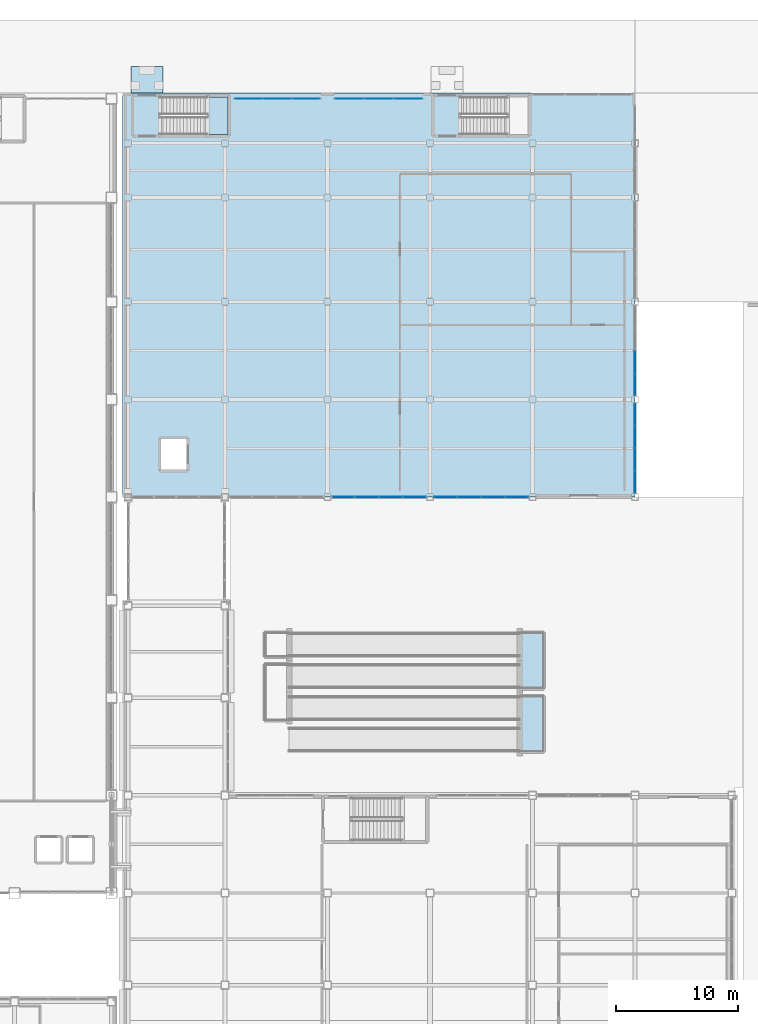
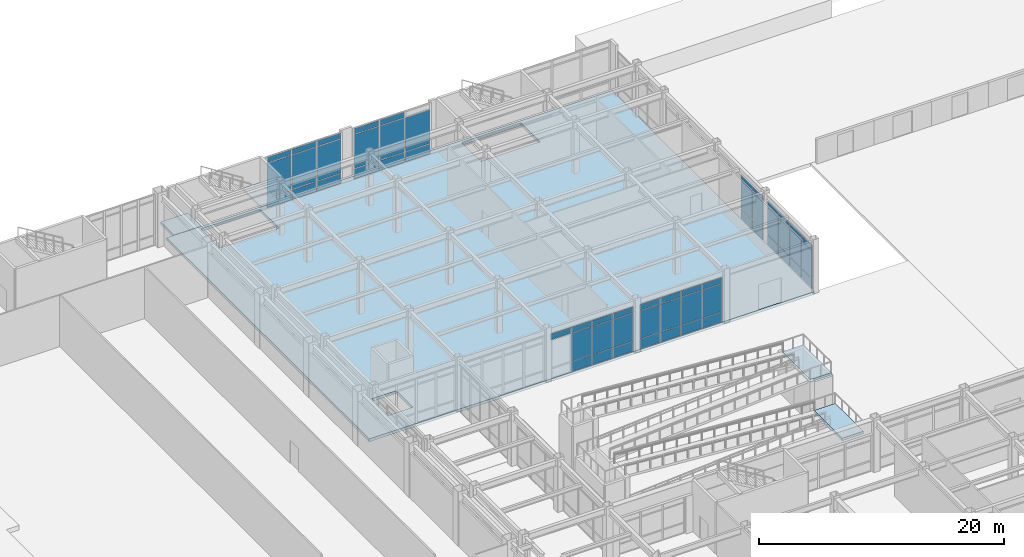
# One storey, part 118 of 165: 57 plates, 5 slabs, 8 elements without a shape of their own.
"""IFC4 building model written with IfcOpenShell, lengths in metres."""

from ifc_helpers import new_model, si_unit, direction, frame, origin, origin_2d, place, context, subcontext, project, spatial, polyline, rectangle, outline, extrude, material, layer, layer_set, type_object, element, aggregate, save


model = new_model("IFC4")

# Units and contexts
model_context = context("Model", 3, precision=1e-05, world=origin(), true_north=direction((0.0, 1.0)))
body_context = subcontext(model_context, "Body", "Model", "MODEL_VIEW")
ifc_project = project(units=[si_unit("LENGTHUNIT", "METRE"), si_unit("AREAUNIT", "SQUARE_METRE"), si_unit("VOLUMEUNIT", "CUBIC_METRE"), si_unit("PLANEANGLEUNIT", "RADIAN"), si_unit("MASSUNIT", "GRAM", prefix="KILO")], contexts=[model_context])

# Site, building, storey
site_placement = place(None, origin())
site = spatial("IfcSite", under=ifc_project, at=site_placement, CompositionType="ELEMENT")
building_placement = place(site_placement, origin())
building = spatial("IfcBuilding", under=site, at=building_placement, Name="Kazehara Bluff Congress Hotel", CompositionType="ELEMENT")
storey_placement = place(building_placement, origin())
storey = spatial("IfcBuildingStorey", under=building, at=storey_placement, Name="L00", CompositionType="ELEMENT", Elevation=0.0)

# Curtain wall, plates
ifc_material_1 = material(Name="Anodised aluminium", Category="aluminium")
ifc_layer_1 = layer(ifc_material_1, 0.159912109375)
ifc_layer_set_1 = layer_set([ifc_layer_1], Name="Anodised aluminium")
curtain_wall_type_1 = type_object("IfcCurtainWallType", Name="TP-CW-36", PredefinedType="NOTDEFINED", material=ifc_layer_set_1)
curtain_wall_1_placement = place(storey_placement, origin())
curtain_wall_1 = element("IfcCurtainWall", 1, at=curtain_wall_1_placement, inside=storey, type_object=curtain_wall_type_1, Name="L00 curtain wall CW-36 CW-V3-L00-Y8090-7632", PredefinedType="NOTDEFINED")
ifc_material_2 = material(Name="Insulated low-E double glazing", Category="glass")
ifc_layer_2 = layer(ifc_material_2, 0.031982421875)
ifc_layer_set_2 = layer_set([ifc_layer_2], Name="Insulated low-E double glazing")
plate_type = type_object("IfcPlateType", Name="TP-CWP-02", PredefinedType="CURTAIN_PANEL", material=ifc_layer_set_2)
plate_1_placement = place(storey_placement, frame((77.32373046875, 80.89990234375, 3.90771484375), z_axis=(0.0, 0.0, 1.0), x_axis=(1.0, 0.0, 0.0)))
plate_1 = element("IfcPlate", 2, at=plate_1_placement, type_object=plate_type, Name="CW-36 panel 1.3", PredefinedType="CURTAIN_PANEL", context=body_context, shape_type="SweptSolid", body=[
    extrude(rectangle(XDim=1.857421875, YDim=0.031982421875, at=origin_2d()), origin(), (0.0, 0.0, 1.0), 0.552490234375),
])
plate_2_placement = place(storey_placement, frame((79.268798828125, 80.89990234375, 0.06494140625), z_axis=(0.0, 0.0, 1.0), x_axis=(1.0, 0.0, 0.0)))
plate_2 = element("IfcPlate", 3, at=plate_2_placement, type_object=plate_type, Name="CW-36 panel 2.1", PredefinedType="CURTAIN_PANEL", context=body_context, shape_type="SweptSolid", body=[
    extrude(rectangle(XDim=1.892578125, YDim=0.031982421875, at=origin_2d()), origin(), (0.0, 0.0, 1.0), 0.952392578125),
])
plate_3_placement = place(storey_placement, frame((79.268798828125, 80.89990234375, 1.08251953125), z_axis=(0.0, 0.0, 1.0), x_axis=(1.0, 0.0, 0.0)))
plate_3 = element("IfcPlate", 4, at=plate_3_placement, type_object=plate_type, Name="CW-36 panel 2.2", PredefinedType="CURTAIN_PANEL", context=body_context, shape_type="SweptSolid", body=[
    extrude(rectangle(XDim=1.892578125, YDim=0.031982421875, at=origin_2d()), origin(), (0.0, 0.0, 1.0), 2.760009765625),
])
plate_4_placement = place(storey_placement, frame((79.268798828125, 80.89990234375, 3.90771484375), z_axis=(0.0, 0.0, 1.0), x_axis=(1.0, 0.0, 0.0)))
plate_4 = element("IfcPlate", 5, at=plate_4_placement, type_object=plate_type, Name="CW-36 panel 2.3", PredefinedType="CURTAIN_PANEL", context=body_context, shape_type="SweptSolid", body=[
    extrude(rectangle(XDim=1.892578125, YDim=0.031982421875, at=origin_2d()), origin(), (0.0, 0.0, 1.0), 0.552490234375),
])
plate_5_placement = place(storey_placement, frame((81.231201171875, 80.89990234375, 0.06494140625), z_axis=(0.0, 0.0, 1.0), x_axis=(1.0, 0.0, 0.0)))
plate_5 = element("IfcPlate", 6, at=plate_5_placement, type_object=plate_type, Name="CW-36 panel 3.1", PredefinedType="CURTAIN_PANEL", context=body_context, shape_type="SweptSolid", body=[
    extrude(rectangle(XDim=1.892578125, YDim=0.031982421875, at=origin_2d()), origin(), (0.0, 0.0, 1.0), 0.952392578125),
])
plate_6_placement = place(storey_placement, frame((81.231201171875, 80.89990234375, 1.08251953125), z_axis=(0.0, 0.0, 1.0), x_axis=(1.0, 0.0, 0.0)))
plate_6 = element("IfcPlate", 7, at=plate_6_placement, type_object=plate_type, Name="CW-36 panel 3.2", PredefinedType="CURTAIN_PANEL", context=body_context, shape_type="SweptSolid", body=[
    extrude(rectangle(XDim=1.892578125, YDim=0.031982421875, at=origin_2d()), origin(), (0.0, 0.0, 1.0), 2.760009765625),
])
plate_7_placement = place(storey_placement, frame((81.231201171875, 80.89990234375, 3.90771484375), z_axis=(0.0, 0.0, 1.0), x_axis=(1.0, 0.0, 0.0)))
plate_7 = element("IfcPlate", 8, at=plate_7_placement, type_object=plate_type, Name="CW-36 panel 3.3", PredefinedType="CURTAIN_PANEL", context=body_context, shape_type="SweptSolid", body=[
    extrude(rectangle(XDim=1.892578125, YDim=0.031982421875, at=origin_2d()), origin(), (0.0, 0.0, 1.0), 0.552490234375),
])
plate_8_placement = place(storey_placement, frame((83.17626953125, 80.89990234375, 0.06494140625), z_axis=(0.0, 0.0, 1.0), x_axis=(1.0, 0.0, 0.0)))
plate_8 = element("IfcPlate", 9, at=plate_8_placement, type_object=plate_type, Name="CW-36 panel 4.1", PredefinedType="CURTAIN_PANEL", context=body_context, shape_type="SweptSolid", body=[
    extrude(rectangle(XDim=1.857421875, YDim=0.031982421875, at=origin_2d()), origin(), (0.0, 0.0, 1.0), 0.952392578125),
])
plate_9_placement = place(storey_placement, frame((83.17626953125, 80.89990234375, 1.08251953125), z_axis=(0.0, 0.0, 1.0), x_axis=(1.0, 0.0, 0.0)))
plate_9 = element("IfcPlate", 10, at=plate_9_placement, type_object=plate_type, Name="CW-36 panel 4.2", PredefinedType="CURTAIN_PANEL", context=body_context, shape_type="SweptSolid", body=[
    extrude(rectangle(XDim=1.857421875, YDim=0.031982421875, at=origin_2d()), origin(), (0.0, 0.0, 1.0), 2.760009765625),
])
plate_10_placement = place(storey_placement, frame((83.17626953125, 80.89990234375, 3.90771484375), z_axis=(0.0, 0.0, 1.0), x_axis=(1.0, 0.0, 0.0)))
plate_10 = element("IfcPlate", 11, at=plate_10_placement, type_object=plate_type, Name="CW-36 panel 4.3", PredefinedType="CURTAIN_PANEL", context=body_context, shape_type="SweptSolid", body=[
    extrude(rectangle(XDim=1.857421875, YDim=0.031982421875, at=origin_2d()), origin(), (0.0, 0.0, 1.0), 0.552490234375),
])
aggregate(curtain_wall_1, [plate_1, plate_2, plate_3, plate_4, plate_5, plate_6, plate_7, plate_8, plate_9, plate_10])

curtain_wall_2_placement = place(storey_placement, origin())
curtain_wall_2 = element("IfcCurtainWall", 12, at=curtain_wall_2_placement, inside=storey, type_object=curtain_wall_type_1, Name="L00 curtain wall CW-36 CW-V3-L00-Y8090-8472", PredefinedType="NOTDEFINED")
plate_11_placement = place(storey_placement, frame((85.7236328125, 80.89990234375, 0.06494140625), z_axis=(0.0, 0.0, 1.0), x_axis=(1.0, 0.0, 0.0)))
plate_11 = element("IfcPlate", 13, at=plate_11_placement, type_object=plate_type, Name="CW-36 panel 1.1", PredefinedType="CURTAIN_PANEL", context=body_context, shape_type="SweptSolid", body=[
    extrude(rectangle(XDim=1.857421875, YDim=0.031982421875, at=origin_2d()), origin(), (0.0, 0.0, 1.0), 0.952392578125),
])
plate_12_placement = place(storey_placement, frame((85.7236328125, 80.89990234375, 1.08251953125), z_axis=(0.0, 0.0, 1.0), x_axis=(1.0, 0.0, 0.0)))
plate_12 = element("IfcPlate", 14, at=plate_12_placement, type_object=plate_type, Name="CW-36 panel 1.2", PredefinedType="CURTAIN_PANEL", context=body_context, shape_type="SweptSolid", body=[
    extrude(rectangle(XDim=1.857421875, YDim=0.031982421875, at=origin_2d()), origin(), (0.0, 0.0, 1.0), 2.760009765625),
])
plate_13_placement = place(storey_placement, frame((85.7236328125, 80.89990234375, 3.90771484375), z_axis=(0.0, 0.0, 1.0), x_axis=(1.0, 0.0, 0.0)))
plate_13 = element("IfcPlate", 15, at=plate_13_placement, type_object=plate_type, Name="CW-36 panel 1.3", PredefinedType="CURTAIN_PANEL", context=body_context, shape_type="SweptSolid", body=[
    extrude(rectangle(XDim=1.857421875, YDim=0.031982421875, at=origin_2d()), origin(), (0.0, 0.0, 1.0), 0.552490234375),
])
plate_14_placement = place(storey_placement, frame((87.668701171875, 80.89990234375, 0.06494140625), z_axis=(0.0, 0.0, 1.0), x_axis=(1.0, 0.0, 0.0)))
plate_14 = element("IfcPlate", 16, at=plate_14_placement, type_object=plate_type, Name="CW-36 panel 2.1", PredefinedType="CURTAIN_PANEL", context=body_context, shape_type="SweptSolid", body=[
    extrude(rectangle(XDim=1.892578125, YDim=0.031982421875, at=origin_2d()), origin(), (0.0, 0.0, 1.0), 0.952392578125),
])
plate_15_placement = place(storey_placement, frame((87.668701171875, 80.89990234375, 1.08251953125), z_axis=(0.0, 0.0, 1.0), x_axis=(1.0, 0.0, 0.0)))
plate_15 = element("IfcPlate", 17, at=plate_15_placement, type_object=plate_type, Name="CW-36 panel 2.2", PredefinedType="CURTAIN_PANEL", context=body_context, shape_type="SweptSolid", body=[
    extrude(rectangle(XDim=1.892578125, YDim=0.031982421875, at=origin_2d()), origin(), (0.0, 0.0, 1.0), 2.760009765625),
])
plate_16_placement = place(storey_placement, frame((87.668701171875, 80.89990234375, 3.90771484375), z_axis=(0.0, 0.0, 1.0), x_axis=(1.0, 0.0, 0.0)))
plate_16 = element("IfcPlate", 18, at=plate_16_placement, type_object=plate_type, Name="CW-36 panel 2.3", PredefinedType="CURTAIN_PANEL", context=body_context, shape_type="SweptSolid", body=[
    extrude(rectangle(XDim=1.892578125, YDim=0.031982421875, at=origin_2d()), origin(), (0.0, 0.0, 1.0), 0.552490234375),
])
plate_17_placement = place(storey_placement, frame((89.63134765625, 80.89990234375, 0.06494140625), z_axis=(0.0, 0.0, 1.0), x_axis=(1.0, 0.0, 0.0)))
plate_17 = element("IfcPlate", 19, at=plate_17_placement, type_object=plate_type, Name="CW-36 panel 3.1", PredefinedType="CURTAIN_PANEL", context=body_context, shape_type="SweptSolid", body=[
    extrude(rectangle(XDim=1.892578125, YDim=0.031982421875, at=origin_2d()), origin(), (0.0, 0.0, 1.0), 0.952392578125),
])
plate_18_placement = place(storey_placement, frame((89.63134765625, 80.89990234375, 1.08251953125), z_axis=(0.0, 0.0, 1.0), x_axis=(1.0, 0.0, 0.0)))
plate_18 = element("IfcPlate", 20, at=plate_18_placement, type_object=plate_type, Name="CW-36 panel 3.2", PredefinedType="CURTAIN_PANEL", context=body_context, shape_type="SweptSolid", body=[
    extrude(rectangle(XDim=1.892578125, YDim=0.031982421875, at=origin_2d()), origin(), (0.0, 0.0, 1.0), 2.760009765625),
])
plate_19_placement = place(storey_placement, frame((89.63134765625, 80.89990234375, 3.90771484375), z_axis=(0.0, 0.0, 1.0), x_axis=(1.0, 0.0, 0.0)))
plate_19 = element("IfcPlate", 21, at=plate_19_placement, type_object=plate_type, Name="CW-36 panel 3.3", PredefinedType="CURTAIN_PANEL", context=body_context, shape_type="SweptSolid", body=[
    extrude(rectangle(XDim=1.892578125, YDim=0.031982421875, at=origin_2d()), origin(), (0.0, 0.0, 1.0), 0.552490234375),
])
plate_20_placement = place(storey_placement, frame((91.576171875, 80.89990234375, 0.06494140625), z_axis=(0.0, 0.0, 1.0), x_axis=(1.0, 0.0, 0.0)))
plate_20 = element("IfcPlate", 22, at=plate_20_placement, type_object=plate_type, Name="CW-36 panel 4.1", PredefinedType="CURTAIN_PANEL", context=body_context, shape_type="SweptSolid", body=[
    extrude(rectangle(XDim=1.857421875, YDim=0.031982421875, at=origin_2d()), origin(), (0.0, 0.0, 1.0), 0.952392578125),
])
plate_21_placement = place(storey_placement, frame((91.576171875, 80.89990234375, 1.08251953125), z_axis=(0.0, 0.0, 1.0), x_axis=(1.0, 0.0, 0.0)))
plate_21 = element("IfcPlate", 23, at=plate_21_placement, type_object=plate_type, Name="CW-36 panel 4.2", PredefinedType="CURTAIN_PANEL", context=body_context, shape_type="SweptSolid", body=[
    extrude(rectangle(XDim=1.857421875, YDim=0.031982421875, at=origin_2d()), origin(), (0.0, 0.0, 1.0), 2.760009765625),
])
plate_22_placement = place(storey_placement, frame((91.576171875, 80.89990234375, 3.90771484375), z_axis=(0.0, 0.0, 1.0), x_axis=(1.0, 0.0, 0.0)))
plate_22 = element("IfcPlate", 24, at=plate_22_placement, type_object=plate_type, Name="CW-36 panel 4.3", PredefinedType="CURTAIN_PANEL", context=body_context, shape_type="SweptSolid", body=[
    extrude(rectangle(XDim=1.857421875, YDim=0.031982421875, at=origin_2d()), origin(), (0.0, 0.0, 1.0), 0.552490234375),
])
aggregate(curtain_wall_2, [plate_11, plate_12, plate_13, plate_14, plate_15, plate_16, plate_17, plate_18, plate_19, plate_20, plate_21, plate_22])

ifc_material_3 = material(Name="Anodised aluminium", Category="aluminium")
ifc_layer_3 = layer(ifc_material_3, 0.159912109375)
ifc_layer_set_3 = layer_set([ifc_layer_3], Name="Anodised aluminium")
curtain_wall_type_2 = type_object("IfcCurtainWallType", Name="TP-CW-40", PredefinedType="NOTDEFINED", material=ifc_layer_set_3)
curtain_wall_3_placement = place(storey_placement, origin())
curtain_wall_3 = element("IfcCurtainWall", 25, at=curtain_wall_3_placement, inside=storey, type_object=curtain_wall_type_2, Name="L00 curtain wall CW-40 CW-V3-L00-X10125-8118", PredefinedType="NOTDEFINED")
plate_23_placement = place(storey_placement, frame((101.25, 82.123779296875, 0.06494140625), z_axis=(0.0, 0.0, 1.0), x_axis=(0.0, 1.0, 0.0)))
plate_23 = element("IfcPlate", 26, at=plate_23_placement, type_object=plate_type, Name="CW-40 panel 1.1", PredefinedType="CURTAIN_PANEL", context=body_context, shape_type="SweptSolid", body=[
    extrude(rectangle(XDim=1.757568359375, YDim=0.031982421875, at=origin_2d()), origin(), (0.0, 0.0, 1.0), 0.952392578125),
])
plate_24_placement = place(storey_placement, frame((101.25, 82.123779296875, 1.08251953125), z_axis=(0.0, 0.0, 1.0), x_axis=(0.0, 1.0, 0.0)))
plate_24 = element("IfcPlate", 27, at=plate_24_placement, type_object=plate_type, Name="CW-40 panel 1.2", PredefinedType="CURTAIN_PANEL", context=body_context, shape_type="SweptSolid", body=[
    extrude(rectangle(XDim=1.757568359375, YDim=0.031982421875, at=origin_2d()), origin(), (0.0, 0.0, 1.0), 2.7099609375),
])
plate_25_placement = place(storey_placement, frame((101.25, 82.123779296875, 3.857421875), z_axis=(0.0, 0.0, 1.0), x_axis=(0.0, 1.0, 0.0)))
plate_25 = element("IfcPlate", 28, at=plate_25_placement, type_object=plate_type, Name="CW-40 panel 1.3", PredefinedType="CURTAIN_PANEL", context=body_context, shape_type="SweptSolid", body=[
    extrude(rectangle(XDim=1.757568359375, YDim=0.031982421875, at=origin_2d()), origin(), (0.0, 0.0, 1.0), 0.552490234375),
])
plate_26_placement = place(storey_placement, frame((101.25, 83.96875, 0.06494140625), z_axis=(0.0, 0.0, 1.0), x_axis=(0.0, 1.0, 0.0)))
plate_26 = element("IfcPlate", 29, at=plate_26_placement, type_object=plate_type, Name="CW-40 panel 2.1", PredefinedType="CURTAIN_PANEL", context=body_context, shape_type="SweptSolid", body=[
    extrude(rectangle(XDim=1.79248046875, YDim=0.031982421875, at=origin_2d()), origin(), (0.0, 0.0, 1.0), 0.952392578125),
])
plate_27_placement = place(storey_placement, frame((101.25, 83.96875, 1.08251953125), z_axis=(0.0, 0.0, 1.0), x_axis=(0.0, 1.0, 0.0)))
plate_27 = element("IfcPlate", 30, at=plate_27_placement, type_object=plate_type, Name="CW-40 panel 2.2", PredefinedType="CURTAIN_PANEL", context=body_context, shape_type="SweptSolid", body=[
    extrude(rectangle(XDim=1.79248046875, YDim=0.031982421875, at=origin_2d()), origin(), (0.0, 0.0, 1.0), 2.7099609375),
])
plate_28_placement = place(storey_placement, frame((101.25, 83.96875, 3.857421875), z_axis=(0.0, 0.0, 1.0), x_axis=(0.0, 1.0, 0.0)))
plate_28 = element("IfcPlate", 31, at=plate_28_placement, type_object=plate_type, Name="CW-40 panel 2.3", PredefinedType="CURTAIN_PANEL", context=body_context, shape_type="SweptSolid", body=[
    extrude(rectangle(XDim=1.79248046875, YDim=0.031982421875, at=origin_2d()), origin(), (0.0, 0.0, 1.0), 0.552490234375),
])
plate_29_placement = place(storey_placement, frame((101.25, 85.831298828125, 0.06494140625), z_axis=(0.0, 0.0, 1.0), x_axis=(0.0, 1.0, 0.0)))
plate_29 = element("IfcPlate", 32, at=plate_29_placement, type_object=plate_type, Name="CW-40 panel 3.1", PredefinedType="CURTAIN_PANEL", context=body_context, shape_type="SweptSolid", body=[
    extrude(rectangle(XDim=1.79248046875, YDim=0.031982421875, at=origin_2d()), origin(), (0.0, 0.0, 1.0), 0.952392578125),
])
plate_30_placement = place(storey_placement, frame((101.25, 85.831298828125, 1.08251953125), z_axis=(0.0, 0.0, 1.0), x_axis=(0.0, 1.0, 0.0)))
plate_30 = element("IfcPlate", 33, at=plate_30_placement, type_object=plate_type, Name="CW-40 panel 3.2", PredefinedType="CURTAIN_PANEL", context=body_context, shape_type="SweptSolid", body=[
    extrude(rectangle(XDim=1.79248046875, YDim=0.031982421875, at=origin_2d()), origin(), (0.0, 0.0, 1.0), 2.7099609375),
])
plate_31_placement = place(storey_placement, frame((101.25, 85.831298828125, 3.857421875), z_axis=(0.0, 0.0, 1.0), x_axis=(0.0, 1.0, 0.0)))
plate_31 = element("IfcPlate", 34, at=plate_31_placement, type_object=plate_type, Name="CW-40 panel 3.3", PredefinedType="CURTAIN_PANEL", context=body_context, shape_type="SweptSolid", body=[
    extrude(rectangle(XDim=1.79248046875, YDim=0.031982421875, at=origin_2d()), origin(), (0.0, 0.0, 1.0), 0.552490234375),
])
plate_32_placement = place(storey_placement, frame((101.25, 87.67626953125, 0.06494140625), z_axis=(0.0, 0.0, 1.0), x_axis=(0.0, 1.0, 0.0)))
plate_32 = element("IfcPlate", 35, at=plate_32_placement, type_object=plate_type, Name="CW-40 panel 4.1", PredefinedType="CURTAIN_PANEL", context=body_context, shape_type="SweptSolid", body=[
    extrude(rectangle(XDim=1.757568359375, YDim=0.031982421875, at=origin_2d()), origin(), (0.0, 0.0, 1.0), 0.952392578125),
])
plate_33_placement = place(storey_placement, frame((101.25, 87.67626953125, 1.08251953125), z_axis=(0.0, 0.0, 1.0), x_axis=(0.0, 1.0, 0.0)))
plate_33 = element("IfcPlate", 36, at=plate_33_placement, type_object=plate_type, Name="CW-40 panel 4.2", PredefinedType="CURTAIN_PANEL", context=body_context, shape_type="SweptSolid", body=[
    extrude(rectangle(XDim=1.757568359375, YDim=0.031982421875, at=origin_2d()), origin(), (0.0, 0.0, 1.0), 2.7099609375),
])
plate_34_placement = place(storey_placement, frame((101.25, 87.67626953125, 3.857421875), z_axis=(0.0, 0.0, 1.0), x_axis=(0.0, 1.0, 0.0)))
plate_34 = element("IfcPlate", 37, at=plate_34_placement, type_object=plate_type, Name="CW-40 panel 4.3", PredefinedType="CURTAIN_PANEL", context=body_context, shape_type="SweptSolid", body=[
    extrude(rectangle(XDim=1.757568359375, YDim=0.031982421875, at=origin_2d()), origin(), (0.0, 0.0, 1.0), 0.552490234375),
])
aggregate(curtain_wall_3, [plate_23, plate_24, plate_25, plate_26, plate_27, plate_28, plate_29, plate_30, plate_31, plate_32, plate_33, plate_34])

curtain_wall_4_placement = place(storey_placement, origin())
curtain_wall_4 = element("IfcCurtainWall", 38, at=curtain_wall_4_placement, inside=storey, type_object=curtain_wall_type_2, Name="L00 curtain wall CW-40 CW-V3-L00-X10125-8918", PredefinedType="NOTDEFINED")
plate_35_placement = place(storey_placement, frame((101.25, 90.123779296875, 0.06494140625), z_axis=(0.0, 0.0, 1.0), x_axis=(0.0, 1.0, 0.0)))
plate_35 = element("IfcPlate", 39, at=plate_35_placement, type_object=plate_type, Name="CW-40 panel 1.1", PredefinedType="CURTAIN_PANEL", context=body_context, shape_type="SweptSolid", body=[
    extrude(rectangle(XDim=1.757568359375, YDim=0.031982421875, at=origin_2d()), origin(), (0.0, 0.0, 1.0), 0.952392578125),
])
plate_36_placement = place(storey_placement, frame((101.25, 90.123779296875, 1.08251953125), z_axis=(0.0, 0.0, 1.0), x_axis=(0.0, 1.0, 0.0)))
plate_36 = element("IfcPlate", 40, at=plate_36_placement, type_object=plate_type, Name="CW-40 panel 1.2", PredefinedType="CURTAIN_PANEL", context=body_context, shape_type="SweptSolid", body=[
    extrude(rectangle(XDim=1.757568359375, YDim=0.031982421875, at=origin_2d()), origin(), (0.0, 0.0, 1.0), 2.7099609375),
])
plate_37_placement = place(storey_placement, frame((101.25, 90.123779296875, 3.857421875), z_axis=(0.0, 0.0, 1.0), x_axis=(0.0, 1.0, 0.0)))
plate_37 = element("IfcPlate", 41, at=plate_37_placement, type_object=plate_type, Name="CW-40 panel 1.3", PredefinedType="CURTAIN_PANEL", context=body_context, shape_type="SweptSolid", body=[
    extrude(rectangle(XDim=1.757568359375, YDim=0.031982421875, at=origin_2d()), origin(), (0.0, 0.0, 1.0), 0.552490234375),
])
plate_38_placement = place(storey_placement, frame((101.25, 91.96875, 0.06494140625), z_axis=(0.0, 0.0, 1.0), x_axis=(0.0, 1.0, 0.0)))
plate_38 = element("IfcPlate", 42, at=plate_38_placement, type_object=plate_type, Name="CW-40 panel 2.1", PredefinedType="CURTAIN_PANEL", context=body_context, shape_type="SweptSolid", body=[
    extrude(rectangle(XDim=1.79248046875, YDim=0.031982421875, at=origin_2d()), origin(), (0.0, 0.0, 1.0), 0.952392578125),
])
plate_39_placement = place(storey_placement, frame((101.25, 91.96875, 1.08251953125), z_axis=(0.0, 0.0, 1.0), x_axis=(0.0, 1.0, 0.0)))
plate_39 = element("IfcPlate", 43, at=plate_39_placement, type_object=plate_type, Name="CW-40 panel 2.2", PredefinedType="CURTAIN_PANEL", context=body_context, shape_type="SweptSolid", body=[
    extrude(rectangle(XDim=1.79248046875, YDim=0.031982421875, at=origin_2d()), origin(), (0.0, 0.0, 1.0), 2.7099609375),
])
plate_40_placement = place(storey_placement, frame((101.25, 91.96875, 3.857421875), z_axis=(0.0, 0.0, 1.0), x_axis=(0.0, 1.0, 0.0)))
plate_40 = element("IfcPlate", 44, at=plate_40_placement, type_object=plate_type, Name="CW-40 panel 2.3", PredefinedType="CURTAIN_PANEL", context=body_context, shape_type="SweptSolid", body=[
    extrude(rectangle(XDim=1.79248046875, YDim=0.031982421875, at=origin_2d()), origin(), (0.0, 0.0, 1.0), 0.552490234375),
])
aggregate(curtain_wall_4, [plate_35, plate_36, plate_37, plate_38, plate_39, plate_40])

ifc_material_4 = material(Name="Anodised aluminium", Category="aluminium")
ifc_layer_4 = layer(ifc_material_4, 0.159912109375)
ifc_layer_set_4 = layer_set([ifc_layer_4], Name="Anodised aluminium")
curtain_wall_type_3 = type_object("IfcCurtainWallType", Name="TP-CW-45", PredefinedType="NOTDEFINED", material=ifc_layer_set_4)
curtain_wall_5_placement = place(storey_placement, origin())
curtain_wall_5 = element("IfcCurtainWall", 45, at=curtain_wall_5_placement, inside=storey, type_object=curtain_wall_type_3, Name="L00 curtain wall CW-45 CW-V3-L00-Y11355-6840", PredefinedType="NOTDEFINED")
plate_41_placement = place(storey_placement, frame((69.600830078125, 113.550048828125, 0.06494140625), z_axis=(0.0, 0.0, 1.0), x_axis=(1.0, 0.0, 0.0)))
plate_41 = element("IfcPlate", 46, at=plate_41_placement, type_object=plate_type, Name="CW-45 panel 1.1", PredefinedType="CURTAIN_PANEL", context=body_context, shape_type="SweptSolid", body=[
    extrude(rectangle(XDim=2.26171875, YDim=0.031982421875, at=origin_2d()), origin(), (0.0, 0.0, 1.0), 0.952392578125),
])
plate_42_placement = place(storey_placement, frame((69.600830078125, 113.550048828125, 1.08251953125), z_axis=(0.0, 0.0, 1.0), x_axis=(1.0, 0.0, 0.0)))
plate_42 = element("IfcPlate", 47, at=plate_42_placement, type_object=plate_type, Name="CW-45 panel 1.2", PredefinedType="CURTAIN_PANEL", context=body_context, shape_type="SweptSolid", body=[
    extrude(rectangle(XDim=2.26171875, YDim=0.031982421875, at=origin_2d()), origin(), (0.0, 0.0, 1.0), 3.3701171875),
])
plate_43_placement = place(storey_placement, frame((69.600830078125, 113.550048828125, 4.517578125), z_axis=(0.0, 0.0, 1.0), x_axis=(1.0, 0.0, 0.0)))
plate_43 = element("IfcPlate", 48, at=plate_43_placement, type_object=plate_type, Name="CW-45 panel 1.3", PredefinedType="CURTAIN_PANEL", context=body_context, shape_type="SweptSolid", body=[
    extrude(rectangle(XDim=2.26171875, YDim=0.031982421875, at=origin_2d()), origin(), (0.0, 0.0, 1.0), 0.552490234375),
])
plate_44_placement = place(storey_placement, frame((71.949951171875, 113.550048828125, 0.06494140625), z_axis=(0.0, 0.0, 1.0), x_axis=(1.0, 0.0, 0.0)))
plate_44 = element("IfcPlate", 49, at=plate_44_placement, type_object=plate_type, Name="CW-45 panel 2.1", PredefinedType="CURTAIN_PANEL", context=body_context, shape_type="SweptSolid", body=[
    extrude(rectangle(XDim=2.296630859375, YDim=0.031982421875, at=origin_2d()), origin(), (0.0, 0.0, 1.0), 0.952392578125),
])
plate_45_placement = place(storey_placement, frame((71.949951171875, 113.550048828125, 1.08251953125), z_axis=(0.0, 0.0, 1.0), x_axis=(1.0, 0.0, 0.0)))
plate_45 = element("IfcPlate", 50, at=plate_45_placement, type_object=plate_type, Name="CW-45 panel 2.2", PredefinedType="CURTAIN_PANEL", context=body_context, shape_type="SweptSolid", body=[
    extrude(rectangle(XDim=2.296630859375, YDim=0.031982421875, at=origin_2d()), origin(), (0.0, 0.0, 1.0), 3.3701171875),
])
plate_46_placement = place(storey_placement, frame((71.949951171875, 113.550048828125, 4.517578125), z_axis=(0.0, 0.0, 1.0), x_axis=(1.0, 0.0, 0.0)))
plate_46 = element("IfcPlate", 51, at=plate_46_placement, type_object=plate_type, Name="CW-45 panel 2.3", PredefinedType="CURTAIN_PANEL", context=body_context, shape_type="SweptSolid", body=[
    extrude(rectangle(XDim=2.296630859375, YDim=0.031982421875, at=origin_2d()), origin(), (0.0, 0.0, 1.0), 0.552490234375),
])
plate_47_placement = place(storey_placement, frame((74.299072265625, 113.550048828125, 0.06494140625), z_axis=(0.0, 0.0, 1.0), x_axis=(1.0, 0.0, 0.0)))
plate_47 = element("IfcPlate", 52, at=plate_47_placement, type_object=plate_type, Name="CW-45 panel 3.1", PredefinedType="CURTAIN_PANEL", context=body_context, shape_type="SweptSolid", body=[
    extrude(rectangle(XDim=2.26171875, YDim=0.031982421875, at=origin_2d()), origin(), (0.0, 0.0, 1.0), 0.952392578125),
])
plate_48_placement = place(storey_placement, frame((74.299072265625, 113.550048828125, 1.08251953125), z_axis=(0.0, 0.0, 1.0), x_axis=(1.0, 0.0, 0.0)))
plate_48 = element("IfcPlate", 53, at=plate_48_placement, type_object=plate_type, Name="CW-45 panel 3.2", PredefinedType="CURTAIN_PANEL", context=body_context, shape_type="SweptSolid", body=[
    extrude(rectangle(XDim=2.26171875, YDim=0.031982421875, at=origin_2d()), origin(), (0.0, 0.0, 1.0), 3.3701171875),
])
plate_49_placement = place(storey_placement, frame((74.299072265625, 113.550048828125, 4.517578125), z_axis=(0.0, 0.0, 1.0), x_axis=(1.0, 0.0, 0.0)))
plate_49 = element("IfcPlate", 54, at=plate_49_placement, type_object=plate_type, Name="CW-45 panel 3.3", PredefinedType="CURTAIN_PANEL", context=body_context, shape_type="SweptSolid", body=[
    extrude(rectangle(XDim=2.26171875, YDim=0.031982421875, at=origin_2d()), origin(), (0.0, 0.0, 1.0), 0.552490234375),
])
aggregate(curtain_wall_5, [plate_41, plate_42, plate_43, plate_44, plate_45, plate_46, plate_47, plate_48, plate_49])

ifc_material_5 = material(Name="Anodised aluminium", Category="aluminium")
ifc_layer_5 = layer(ifc_material_5, 0.159912109375)
ifc_layer_set_5 = layer_set([ifc_layer_5], Name="Anodised aluminium")
curtain_wall_type_4 = type_object("IfcCurtainWallType", Name="TP-CW-46", PredefinedType="NOTDEFINED", material=ifc_layer_set_5)
curtain_wall_6_placement = place(storey_placement, origin())
curtain_wall_6 = element("IfcCurtainWall", 55, at=curtain_wall_6_placement, inside=storey, type_object=curtain_wall_type_4, Name="L00 curtain wall CW-46 CW-V3-L00-Y11355-7660", PredefinedType="NOTDEFINED")
plate_50_placement = place(storey_placement, frame((77.834228515625, 113.550048828125, 0.06494140625), z_axis=(0.0, 0.0, 1.0), x_axis=(1.0, 0.0, 0.0)))
plate_50 = element("IfcPlate", 56, at=plate_50_placement, type_object=plate_type, Name="CW-46 panel 1.1", PredefinedType="CURTAIN_PANEL", context=body_context, shape_type="SweptSolid", body=[
    extrude(rectangle(XDim=2.328369140625, YDim=0.031982421875, at=origin_2d()), origin(), (0.0, 0.0, 1.0), 0.952392578125),
])
plate_51_placement = place(storey_placement, frame((77.834228515625, 113.550048828125, 1.08251953125), z_axis=(0.0, 0.0, 1.0), x_axis=(1.0, 0.0, 0.0)))
plate_51 = element("IfcPlate", 57, at=plate_51_placement, type_object=plate_type, Name="CW-46 panel 1.2", PredefinedType="CURTAIN_PANEL", context=body_context, shape_type="SweptSolid", body=[
    extrude(rectangle(XDim=2.328369140625, YDim=0.031982421875, at=origin_2d()), origin(), (0.0, 0.0, 1.0), 3.3701171875),
])
plate_52_placement = place(storey_placement, frame((77.834228515625, 113.550048828125, 4.517578125), z_axis=(0.0, 0.0, 1.0), x_axis=(1.0, 0.0, 0.0)))
plate_52 = element("IfcPlate", 58, at=plate_52_placement, type_object=plate_type, Name="CW-46 panel 1.3", PredefinedType="CURTAIN_PANEL", context=body_context, shape_type="SweptSolid", body=[
    extrude(rectangle(XDim=2.328369140625, YDim=0.031982421875, at=origin_2d()), origin(), (0.0, 0.0, 1.0), 0.552490234375),
])
plate_53_placement = place(storey_placement, frame((80.25, 113.550048828125, 0.06494140625), z_axis=(0.0, 0.0, 1.0), x_axis=(1.0, 0.0, 0.0)))
plate_53 = element("IfcPlate", 59, at=plate_53_placement, type_object=plate_type, Name="CW-46 panel 2.1", PredefinedType="CURTAIN_PANEL", context=body_context, shape_type="SweptSolid", body=[
    extrude(rectangle(XDim=2.36328125, YDim=0.031982421875, at=origin_2d()), origin(), (0.0, 0.0, 1.0), 0.952392578125),
])
plate_54_placement = place(storey_placement, frame((80.25, 113.550048828125, 1.08251953125), z_axis=(0.0, 0.0, 1.0), x_axis=(1.0, 0.0, 0.0)))
plate_54 = element("IfcPlate", 60, at=plate_54_placement, type_object=plate_type, Name="CW-46 panel 2.2", PredefinedType="CURTAIN_PANEL", context=body_context, shape_type="SweptSolid", body=[
    extrude(rectangle(XDim=2.36328125, YDim=0.031982421875, at=origin_2d()), origin(), (0.0, 0.0, 1.0), 3.3701171875),
])
plate_55_placement = place(storey_placement, frame((80.25, 113.550048828125, 4.517578125), z_axis=(0.0, 0.0, 1.0), x_axis=(1.0, 0.0, 0.0)))
plate_55 = element("IfcPlate", 61, at=plate_55_placement, type_object=plate_type, Name="CW-46 panel 2.3", PredefinedType="CURTAIN_PANEL", context=body_context, shape_type="SweptSolid", body=[
    extrude(rectangle(XDim=2.36328125, YDim=0.031982421875, at=origin_2d()), origin(), (0.0, 0.0, 1.0), 0.552490234375),
])
plate_56_placement = place(storey_placement, frame((82.665771484375, 113.550048828125, 0.06494140625), z_axis=(0.0, 0.0, 1.0), x_axis=(1.0, 0.0, 0.0)))
plate_56 = element("IfcPlate", 62, at=plate_56_placement, type_object=plate_type, Name="CW-46 panel 3.1", PredefinedType="CURTAIN_PANEL", context=body_context, shape_type="SweptSolid", body=[
    extrude(rectangle(XDim=2.328369140625, YDim=0.031982421875, at=origin_2d()), origin(), (0.0, 0.0, 1.0), 0.952392578125),
])
plate_57_placement = place(storey_placement, frame((82.665771484375, 113.550048828125, 1.08251953125), z_axis=(0.0, 0.0, 1.0), x_axis=(1.0, 0.0, 0.0)))
plate_57 = element("IfcPlate", 63, at=plate_57_placement, type_object=plate_type, Name="CW-46 panel 3.2", PredefinedType="CURTAIN_PANEL", context=body_context, shape_type="SweptSolid", body=[
    extrude(rectangle(XDim=2.328369140625, YDim=0.031982421875, at=origin_2d()), origin(), (0.0, 0.0, 1.0), 3.3701171875),
])
aggregate(curtain_wall_6, [plate_50, plate_51, plate_52, plate_53, plate_54, plate_55, plate_56, plate_57])

# Ramp, slabs
ifc_material_6 = material(Name="Concrete C36/45", Category="concrete")
ramp_type = type_object("IfcRampType", Name="TP-RMP-ACC", PredefinedType="TWO_STRAIGHT_RUN_RAMP", material=ifc_material_6)
ramp_placement = place(storey_placement, origin())
ramp = element("IfcRamp", 64, at=ramp_placement, inside=storey, type_object=ramp_type, Name="Accessible bluff garden ramp R2", PredefinedType="TWO_STRAIGHT_RUN_RAMP")
ifc_material_7 = material(Name="Concrete C36/45", Category="concrete")
ifc_layer_6 = layer(ifc_material_7, 0.25)
ifc_layer_set_6 = layer_set([ifc_layer_6], Name="Concrete C36/45")
slab_type_1 = type_object("IfcSlabType", Name="TP-RLD-250", PredefinedType="LANDING", material=ifc_layer_set_6)
slab_1_placement = place(storey_placement, frame((0.0, 0.0, 1.10009765625)))
slab_1 = element("IfcSlab", 65, at=slab_1_placement, type_object=slab_type_1, Name="Accessible bluff garden ramp R2 landing L1", PredefinedType="LANDING", context=body_context, shape_type="SweptSolid", body=[
    extrude(outline(polyline([(91.800048828125, 60.0), (93.800048828125, 60.0), (93.800048828125, 64.60009765625), (91.800048828125, 64.60009765625), (91.800048828125, 60.0)])), origin(), (0.0, 0.0, 1.0), 0.25),
])
slab_2_placement = place(storey_placement, frame((0.0, 0.0, 3.800048828125)))
slab_2 = element("IfcSlab", 66, at=slab_2_placement, type_object=slab_type_1, Name="Accessible bluff garden ramp R2 landing L3", PredefinedType="LANDING", context=body_context, shape_type="SweptSolid", body=[
    extrude(outline(polyline([(91.800048828125, 65.199951171875), (93.800048828125, 65.199951171875), (93.800048828125, 69.800048828125), (91.800048828125, 69.800048828125), (91.800048828125, 65.199951171875)])), origin(), (0.0, 0.0, 1.0), 0.25),
])
aggregate(ramp, [slab_1, slab_2])

# Slabs
ifc_material_8 = material(Name="Concrete C36/45", Category="concrete")
ifc_layer_7 = layer(ifc_material_8, 0.25)
ifc_layer_set_7 = layer_set([ifc_layer_7], Name="Concrete C36/45")
slab_type_2 = type_object("IfcSlabType", Name="TP-SL-250", PredefinedType="FLOOR", material=ifc_layer_set_7)
slab_3_placement = place(storey_placement, frame((0.0, 0.0, -0.25)))
element("IfcSlab", 67, at=slab_3_placement, inside=storey, type_object=slab_type_2, Name="Escape Stair ST-06 exterior exit threshold slab", PredefinedType="FLOOR", context=body_context, shape_type="SweptSolid", body=[
    extrude(outline(polyline([(59.949951171875, 114.02001953125), (62.550048828125, 114.02001953125), (62.550048828125, 116.199951171875), (59.949951171875, 116.199951171875), (59.949951171875, 114.02001953125)])), origin(), (0.0, 0.0, 1.0), 0.25),
])
ifc_material_9 = material(Name="Concrete C36/45", Category="concrete")
ifc_layer_8 = layer(ifc_material_9, 0.280029296875)
ifc_layer_set_8 = layer_set([ifc_layer_8], Name="Concrete C36/45")
slab_type_3 = type_object("IfcSlabType", Name="TP-SL-280", PredefinedType="FLOOR", material=ifc_layer_set_8)
slab_4_placement = place(storey_placement, frame((0.0, 0.0, -0.280029296875)))
element("IfcSlab", 68, at=slab_4_placement, inside=storey, type_object=slab_type_3, Name="L00 V3 composite floor slab", PredefinedType="FLOOR", context=body_context, shape_type="SweptSolid", body=[
    extrude(outline(polyline([(59.25, 80.89990234375), (101.25, 80.89990234375), (101.25, 114.0), (59.25, 114.0), (59.25, 80.89990234375)]), holes=[polyline([(62.324951171875, 110.60009765625), (67.89990234375, 110.60009765625), (67.89990234375, 113.699951171875), (62.324951171875, 113.699951171875), (62.324951171875, 110.60009765625)]), polyline([(86.925048828125, 110.60009765625), (92.5, 110.60009765625), (92.5, 113.699951171875), (86.925048828125, 113.699951171875), (86.925048828125, 110.60009765625)]), polyline([(62.300048828125, 83.050048828125), (64.60009765625, 83.050048828125), (64.60009765625, 85.75), (62.300048828125, 85.75), (62.300048828125, 83.050048828125)])]), origin(), (0.0, 0.0, 1.0), 0.280029296875),
])

# Stair, slab
ifc_material_10 = material(Name="Concrete C36/45", Category="concrete")
stair_type = type_object("IfcStairType", Name="TP-ST-T03", PredefinedType="HALF_TURN_STAIR", material=ifc_material_10)
stair_placement = place(storey_placement, origin())
stair = element("IfcStair", 69, at=stair_placement, inside=storey, type_object=stair_type, Name="L00 Escape stair ST-06", PredefinedType="HALF_TURN_STAIR")
ifc_material_11 = material(Name="Concrete C36/45", Category="concrete")
ifc_layer_9 = layer(ifc_material_11, 0.199951171875)
ifc_layer_set_9 = layer_set([ifc_layer_9], Name="Concrete C36/45")
slab_type_4 = type_object("IfcSlabType", Name="TP-SLD-200", PredefinedType="LANDING", material=ifc_layer_set_9)
slab_5_placement = place(storey_placement, frame((0.0, 0.0, 2.5)))
slab_5 = element("IfcSlab", 70, at=slab_5_placement, type_object=slab_type_4, Name="ST-06 landing 1", PredefinedType="LANDING", context=body_context, shape_type="SweptSolid", body=[
    extrude(outline(polyline([(66.219970703125, 110.60009765625), (67.89990234375, 110.60009765625), (67.89990234375, 113.699951171875), (66.219970703125, 113.699951171875), (66.219970703125, 110.60009765625)])), origin(), (0.0, 0.0, 1.0), 0.199951171875),
])
aggregate(stair, [slab_5])

save(model, "model.ifc")
